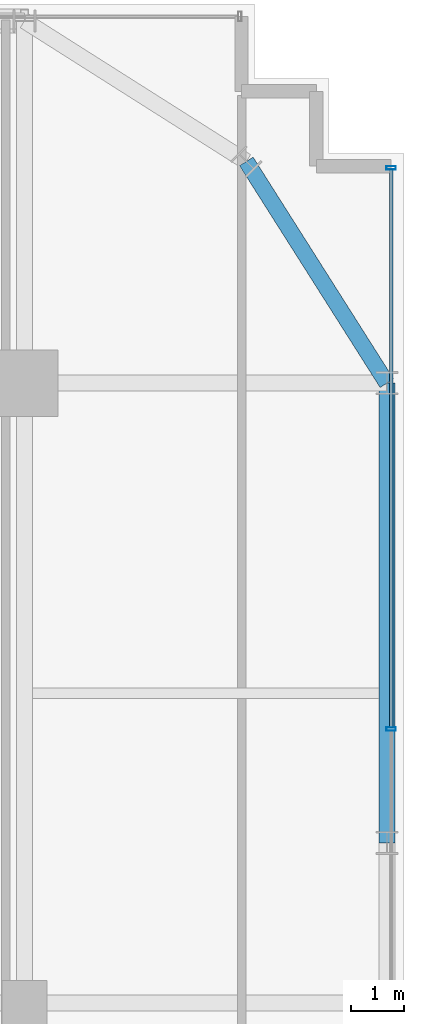
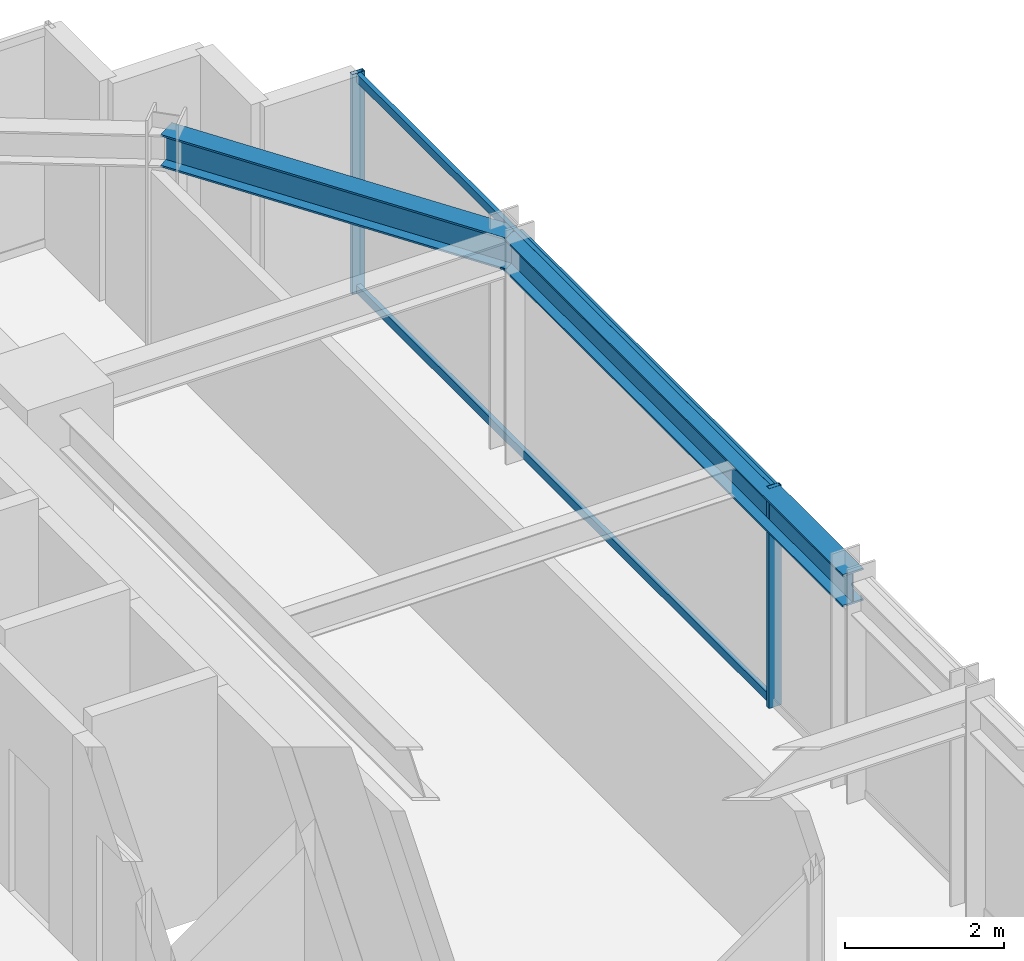
# One storey, part 25 of 35: 4 members, 2 beams, 1 element without a shape of its own.
"""IFC4 building model written with IfcOpenShell, lengths in metres."""

from ifc_helpers import new_model, si_unit, direction, frame, origin, origin_2d, place, context, subcontext, project, spatial, hollow_rectangle, i_section, extrude, source, transform, mapped, material, material_profile, profile_set, type_object, element, aggregate, save


model = new_model("IFC4")

# Units and contexts
model_context = context("Model", 3, precision=1e-05, world=origin(), true_north=direction((0.0, 1.0)))
body_context = subcontext(model_context, "Body", "Model", "MODEL_VIEW")
ifc_project = project(units=[si_unit("LENGTHUNIT", "METRE"), si_unit("AREAUNIT", "SQUARE_METRE"), si_unit("VOLUMEUNIT", "CUBIC_METRE"), si_unit("PLANEANGLEUNIT", "RADIAN"), si_unit("MASSUNIT", "GRAM", prefix="KILO")], contexts=[model_context])

# Site, building, storey
site_placement = place(None, origin())
site = spatial("IfcSite", under=ifc_project, at=site_placement, CompositionType="ELEMENT")
building_placement = place(site_placement, origin())
building = spatial("IfcBuilding", under=site, at=building_placement, Name="Nahalor Promenade Grand Hotel", CompositionType="ELEMENT")
storey_placement = place(building_placement, frame((0.0, 0.0, 106.550048828125)))
storey = spatial("IfcBuildingStorey", under=building, at=storey_placement, Name="L26", CompositionType="ELEMENT", Elevation=106.550048828125)

# Beams
ifc_material_1 = material(Name="Steel S355JR", Category="steel")
ifc_material_profile_1 = material_profile(ifc_material_1, i_section(OverallWidth=0.3, OverallDepth=0.5, WebThickness=0.0145, FlangeThickness=0.028, at=origin_2d()), Name="HEB 500")
ifc_profile_set_1 = profile_set([ifc_material_profile_1], Name="Steel S355JR")
beam_type = type_object("IfcBeamType", Name="Beam-Spandrel-HEB500", PredefinedType="SPANDREL", material=ifc_profile_set_1)
shared_shape_1 = source(origin(), body_context, "Body", "SweptSolid", [
    extrude(i_section(OverallWidth=0.3, OverallDepth=0.5, WebThickness=0.0145, FlangeThickness=0.028, at=origin_2d()), origin(), (0.0, 0.0, 1.0), 8.60009765625),
])
beam_1_placement = place(storey_placement, frame((23.780029296875, 8.39990234375, 3.1298828125), z_axis=(0.0, 1.0, 0.0), x_axis=(-1.0, 0.0, 0.0)))
element("IfcBeam", 1, at=beam_1_placement, inside=storey, type_object=beam_type, Name="BM-L26-SP-E-4", PredefinedType="SPANDREL", context=body_context, shape_type="MappedRepresentation", body=[
    mapped(shared_shape_1, transform((0.0, 0.0, 0.0), scale=1.0)),
])
shared_shape_2 = source(origin(), body_context, "Body", "SweptSolid", [
    extrude(i_section(OverallWidth=0.3, OverallDepth=0.5, WebThickness=0.0145, FlangeThickness=0.028, at=origin_2d()), origin(), (0.0, 0.0, 1.0), 4.9130859375),
])
beam_2_placement = place(storey_placement, frame((21.14990234375, 21.14990234375, 3.1298828125), z_axis=(0.535321591403, -0.844648325505, 0.0), x_axis=(0.844648325505, 0.535321591403, 0.0)))
element("IfcBeam", 2, at=beam_2_placement, inside=storey, type_object=beam_type, Name="BM-L26-SPC-NE-2", PredefinedType="SPANDREL", context=body_context, shape_type="MappedRepresentation", body=[
    mapped(shared_shape_2, transform((0.0, 0.0, 0.0), scale=1.0)),
])

# Curtain wall, members
ifc_material_2 = material(Name="Anodised Bronze Aluminium EN AW-6063 T6", Category="aluminium")
curtain_wall_type = type_object("IfcCurtainWallType", Name="CW2 Typical Hotel Flush Bronze Unitised Curtain Wall", PredefinedType="USERDEFINED", material=ifc_material_2)
curtain_wall_placement = place(storey_placement, origin())
curtain_wall = element("IfcCurtainWall", 3, at=curtain_wall_placement, inside=storey, type_object=curtain_wall_type, Name="L26 Curtain Wall CW-L26-E-1", ObjectType="UNITISED_CURTAIN_WALL", PredefinedType="USERDEFINED")
ifc_material_profile_2 = material_profile(ifc_material_2, hollow_rectangle(XDim=0.065, YDim=0.18, WallThickness=0.004, at=origin_2d()), Name="CWM 65x180x4")
ifc_profile_set_2 = profile_set([ifc_material_profile_2], Name="Anodised Bronze Aluminium EN AW-6063 T6")
member_type_1 = type_object("IfcMemberType", Name="CWM2 Typical Bronze Mullion 65x180", PredefinedType="MULLION", material=ifc_profile_set_2)
shared_shape_3 = source(origin(), body_context, "Body", "SweptSolid", [
    extrude(hollow_rectangle(XDim=0.065, YDim=0.18, WallThickness=0.004, at=origin_2d()), origin(), (0.0, 0.0, 1.0), 3.3798828125),
])
member_1_placement = place(storey_placement, frame((23.860107421875, 10.530029296875, 0.0), z_axis=(0.0, 0.0, 1.0), x_axis=(0.0, 1.0, 0.0)))
member_1 = element("IfcMember", 4, at=member_1_placement, type_object=member_type_1, Name="CW-L26-E-1 Mullion 3", PredefinedType="MULLION", context=body_context, shape_type="MappedRepresentation", body=[
    mapped(shared_shape_3, transform((0.0, 0.0, 0.0), scale=1.0)),
])
member_2_placement = place(storey_placement, frame((23.860107421875, 21.027587890625, 0.0), z_axis=(0.0, 0.0, 1.0), x_axis=(0.0, 1.0, 0.0)))
member_2 = element("IfcMember", 5, at=member_2_placement, type_object=member_type_1, Name="CW-L26-E-1 Mullion 4", PredefinedType="MULLION", context=body_context, shape_type="MappedRepresentation", body=[
    mapped(shared_shape_3, transform((0.0, 0.0, 0.0), scale=1.0)),
])
ifc_material_profile_3 = material_profile(ifc_material_2, hollow_rectangle(XDim=0.065, YDim=0.13, WallThickness=0.004, at=origin_2d()), Name="CWT 65x130x4")
ifc_profile_set_3 = profile_set([ifc_material_profile_3], Name="Anodised Bronze Aluminium EN AW-6063 T6")
member_type_2 = type_object("IfcMemberType", Name="CWT2 Typical Bronze Transom 65x130", PredefinedType="USERDEFINED", material=ifc_profile_set_3)
shared_shape_4 = source(origin(), body_context, "Body", "SweptSolid", [
    extrude(hollow_rectangle(XDim=0.065, YDim=0.13, WallThickness=0.004, at=origin_2d()), origin(), (0.0, 0.0, 1.0), 10.4326171875),
])
member_3_placement = place(storey_placement, frame((23.860107421875, 10.5625, 0.06494140625), z_axis=(0.0, 1.0, 0.0), x_axis=(-1.0, 0.0, 0.0)))
member_3 = element("IfcMember", 6, at=member_3_placement, type_object=member_type_2, Name="CW-L26-E-1 Transom 3-0", ObjectType="TRANSOM", PredefinedType="USERDEFINED", context=body_context, shape_type="MappedRepresentation", body=[
    mapped(shared_shape_4, transform((0.0, 0.0, 0.0), scale=1.0)),
])
member_4_placement = place(storey_placement, frame((23.860107421875, 10.5625, 3.31494140625), z_axis=(0.0, 1.0, 0.0), x_axis=(-1.0, 0.0, 0.0)))
member_4 = element("IfcMember", 7, at=member_4_placement, type_object=member_type_2, Name="CW-L26-E-1 Transom 3-1", ObjectType="TRANSOM", PredefinedType="USERDEFINED", context=body_context, shape_type="MappedRepresentation", body=[
    mapped(shared_shape_4, transform((0.0, 0.0, 0.0), scale=1.0)),
])
aggregate(curtain_wall, [member_1, member_2, member_3, member_4])

save(model, "model.ifc")
